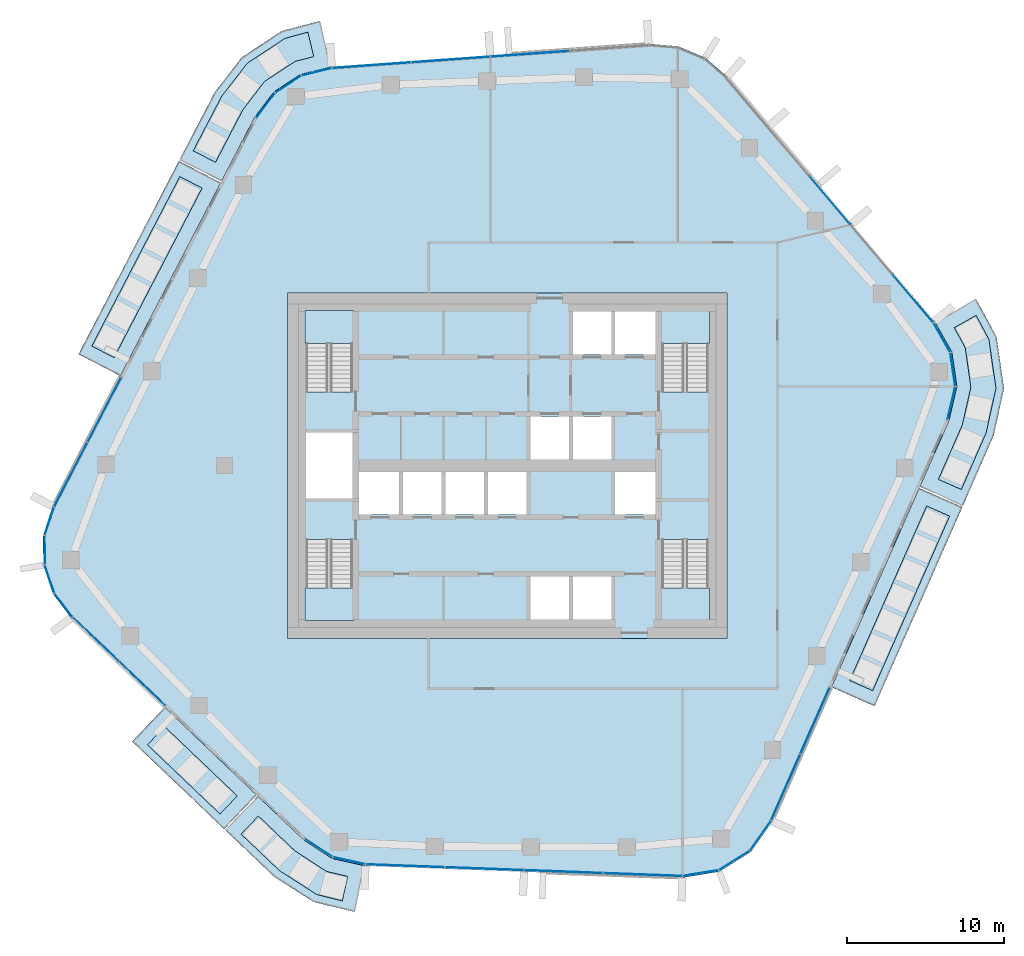
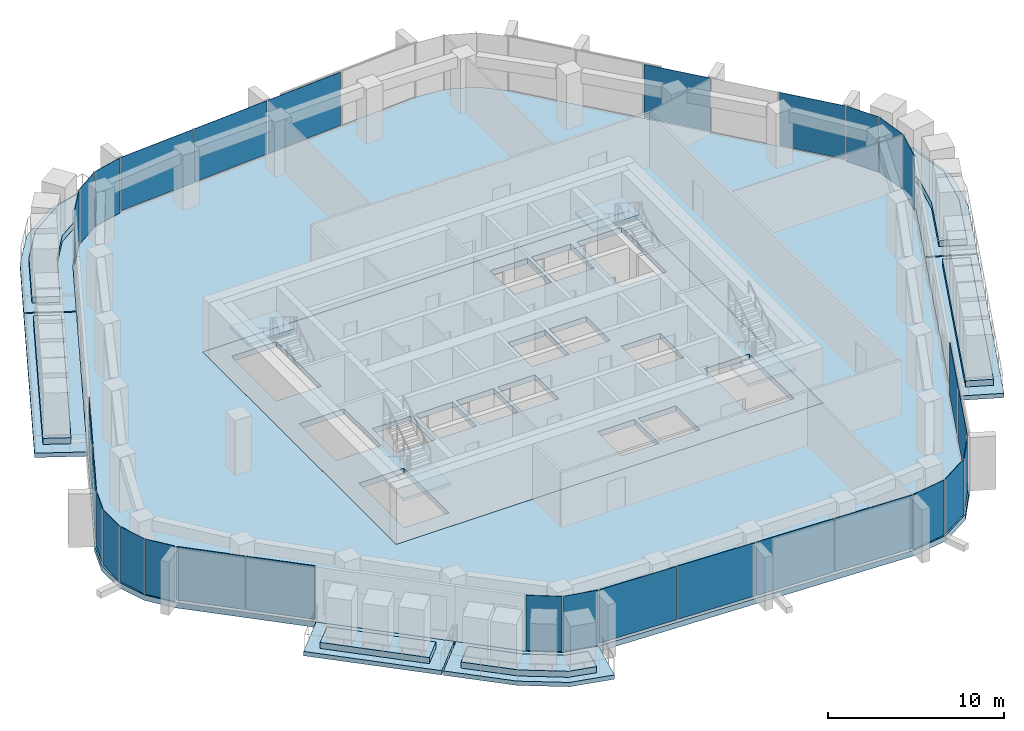
# One storey, part 10 of 21: 30 plates, 18 slabs, 15 elements without a shape of their own.
"""IFC4 building model written with IfcOpenShell, lengths in metres."""

from ifc_helpers import new_model, si_unit, direction, frame, origin, origin_2d, place, context, subcontext, project, spatial, polyline, rectangle, outline, extrude, material, layer, layer_set, type_object, element, aggregate, save


model = new_model("IFC4")

# Units and contexts
model_context = context("Model", 3, precision=1e-05, world=origin(), true_north=direction((0.0, 1.0)))
body_context = subcontext(model_context, "Body", "Model", "MODEL_VIEW")
ifc_project = project(units=[si_unit("LENGTHUNIT", "METRE"), si_unit("AREAUNIT", "SQUARE_METRE"), si_unit("VOLUMEUNIT", "CUBIC_METRE"), si_unit("PLANEANGLEUNIT", "RADIAN"), si_unit("MASSUNIT", "GRAM", prefix="KILO")], contexts=[model_context])

# Site, building, storey
site_placement = place(None, origin())
site = spatial("IfcSite", under=ifc_project, at=site_placement, CompositionType="ELEMENT")
building_placement = place(site_placement, origin())
building = spatial("IfcBuilding", under=site, at=building_placement, Name="Dongbaek Canopy Tower", CompositionType="ELEMENT")
storey_placement = place(building_placement, frame((0.0, 0.0, 270.60009765625)))
storey = spatial("IfcBuildingStorey", under=building, at=storey_placement, Name="L57", CompositionType="ELEMENT", Elevation=270.60009765625)

# Slabs
ifc_material_1 = material(Name="Concrete C40/50", Category="concrete")
ifc_layer_1 = layer(ifc_material_1, 0.300048828125)
ifc_layer_set_1 = layer_set([ifc_layer_1], Name="Balcony slab 300")
slab_type_1 = type_object("IfcSlabType", Name="Balcony slab 300", PredefinedType="FLOOR", material=ifc_layer_set_1)
slab_1_placement = place(storey_placement, frame((0.0, 0.0, -0.300048828125)))
element("IfcSlab", 1, at=slab_1_placement, inside=storey, type_object=slab_type_1, Name="Balcony L57 1", PredefinedType="FLOOR", context=body_context, shape_type="SweptSolid", body=[
    extrude(outline(polyline([(-18.2392578125, 18.005859375), (-24.62646484375, 5.70703125), (-27.288818359375, 7.089599609375), (-20.901611328125, 19.388671875), (-18.2392578125, 18.005859375)])), origin(), (0.0, 0.0, 1.0), 0.300048828125),
])
slab_2_placement = place(storey_placement, frame((0.0, 0.0, -0.300048828125)))
element("IfcSlab", 2, at=slab_2_placement, inside=storey, type_object=slab_type_1, Name="Balcony L57 5", PredefinedType="FLOOR", context=body_context, shape_type="SweptSolid", body=[
    extrude(outline(polyline([(-11.22607421875, 25.386962890625), (-13.148681640625, 24.91259765625), (-14.8447265625, 23.797119140625), (-16.07177734375, 22.1796875), (-18.193115234375, 18.0947265625), (-20.85546875, 19.477294921875), (-18.607177734375, 23.783203125), (-16.8935546875, 25.98828125), (-14.349365234375, 27.661865234375), (-11.9443359375, 28.299560546875), (-11.22607421875, 25.386962890625)])), origin(), (0.0, 0.0, 1.0), 0.300048828125),
])
slab_3_placement = place(storey_placement, frame((0.0, 0.0, -0.300048828125)))
element("IfcSlab", 3, at=slab_3_placement, inside=storey, type_object=slab_type_1, Name="Balcony L57 2", PredefinedType="FLOOR", context=body_context, shape_type="SweptSolid", body=[
    extrude(outline(polyline([(-21.800048828125, -15.386962890625), (-15.9521484375, -20.96923828125), (-18.023681640625, -23.13916015625), (-23.87158203125, -17.55712890625), (-21.800048828125, -15.386962890625)])), origin(), (0.0, 0.0, 1.0), 0.300048828125),
])
slab_4_placement = place(storey_placement, frame((0.0, 0.0, -0.300048828125)))
element("IfcSlab", 4, at=slab_4_placement, inside=storey, type_object=slab_type_1, Name="Balcony L57 6", PredefinedType="FLOOR", context=body_context, shape_type="SweptSolid", body=[
    extrude(outline(polyline([(-15.8798828125, -21.0380859375), (-12.9560546875, -23.829345703125), (-11.14697265625, -25.0166015625), (-9.083251953125, -25.474365234375), (-9.732666015625, -28.403076171875), (-12.31396484375, -27.7802734375), (-14.822509765625, -26.177978515625), (-17.951416015625, -23.208251953125), (-15.8798828125, -21.0380859375)])), origin(), (0.0, 0.0, 1.0), 0.300048828125),
])
slab_5_placement = place(storey_placement, frame((0.0, 0.0, -0.300048828125)))
element("IfcSlab", 5, at=slab_5_placement, inside=storey, type_object=slab_type_1, Name="Balcony L57 3", PredefinedType="FLOOR", context=body_context, shape_type="SweptSolid", body=[
    extrude(outline(polyline([(20.642333984375, -14.1015625), (26.225341796875, -1.43310546875), (28.970703125, -2.64306640625), (23.387451171875, -15.3115234375), (20.642333984375, -14.1015625)])), origin(), (0.0, 0.0, 1.0), 0.300048828125),
])
slab_6_placement = place(storey_placement, frame((0.0, 0.0, -0.300048828125)))
element("IfcSlab", 6, at=slab_6_placement, inside=storey, type_object=slab_type_1, Name="Balcony L57 4", PredefinedType="FLOOR", context=body_context, shape_type="SweptSolid", body=[
    extrude(outline(polyline([(26.265869140625, -1.341552734375), (28.1201171875, 2.865966796875), (28.624267578125, 5.030029296875), (28.30615234375, 7.2294921875), (27.234130859375, 9.11865234375), (29.84326171875, 10.59912109375), (31.144287109375, 8.201171875), (31.62158203125, 4.90234375), (30.966064453125, 1.91650390625), (29.010986328125, -2.551513671875), (26.265869140625, -1.341552734375)])), origin(), (0.0, 0.0, 1.0), 0.300048828125),
])

# Curtain wall, plates
ifc_material_2 = material(Name="Aluminium 6063-T6 pale anodised", Category="aluminium")
ifc_layer_2 = layer(ifc_material_2, 0.199951171875)
ifc_layer_set_2 = layer_set([ifc_layer_2], Name="CW-1 unitised tower curtain wall")
curtain_wall_type = type_object("IfcCurtainWallType", Name="CW-1 unitised tower curtain wall", PredefinedType="NOTDEFINED", material=ifc_layer_set_2)
curtain_wall_1_placement = place(storey_placement, origin())
curtain_wall_1 = element("IfcCurtainWall", 7, at=curtain_wall_1_placement, inside=storey, type_object=curtain_wall_type, Name="CW-1 curtain wall K0.1", PredefinedType="NOTDEFINED")
ifc_material_3 = material(Name="Clear laminated glass", Category="glass")
ifc_layer_3 = layer(ifc_material_3, 0.028076171875)
ifc_layer_set_3 = layer_set([ifc_layer_3], Name="CW-1 glazed panel 28")
plate_type = type_object("IfcPlateType", Name="CW-1 glazed panel 28", PredefinedType="CURTAIN_PANEL", material=ifc_layer_set_3)
plate_1_placement = place(storey_placement, frame((28.273681640625, 3.966064453125, 0.0), z_axis=(0.0, 0.0, 1.0), x_axis=(0.226862667596, 0.973926758053, 0.0)))
plate_1 = element("IfcPlate", 8, at=plate_1_placement, type_object=plate_type, Name="CW-1 panel K0.1.1.1", PredefinedType="CURTAIN_PANEL", context=body_context, shape_type="SweptSolid", body=[
    extrude(rectangle(XDim=2.10986328125, YDim=0.028076171875, at=origin_2d()), origin(), (0.0, 0.0, 1.0), 3.820068359375),
])
plate_2_placement = place(storey_placement, frame((28.3662109375, 6.115478515625, 0.0), z_axis=(0.0, 0.0, 1.0), x_axis=(-0.143155314124, 0.989700235444, 0.0)))
plate_2 = element("IfcPlate", 9, at=plate_2_placement, type_object=plate_type, Name="CW-1 panel K0.1.2.1", PredefinedType="CURTAIN_PANEL", context=body_context, shape_type="SweptSolid", body=[
    extrude(rectangle(XDim=2.100341796875, YDim=0.028076171875, at=origin_2d()), origin(), (0.0, 0.0, 1.0), 3.820068359375),
])
plate_3_placement = place(storey_placement, frame((27.66845703125, 8.150390625, 0.0), z_axis=(0.0, 0.0, 1.0), x_axis=(-0.493537811004, 0.869724340874, 0.0)))
plate_3 = element("IfcPlate", 10, at=plate_3_placement, type_object=plate_type, Name="CW-1 panel K0.1.3.1", PredefinedType="CURTAIN_PANEL", context=body_context, shape_type="SweptSolid", body=[
    extrude(rectangle(XDim=2.10986328125, YDim=0.028076171875, at=origin_2d()), origin(), (0.0, 0.0, 1.0), 3.820068359375),
])
aggregate(curtain_wall_1, [plate_1, plate_2, plate_3])

curtain_wall_2_placement = place(storey_placement, origin())
curtain_wall_2 = element("IfcCurtainWall", 11, at=curtain_wall_2_placement, inside=storey, type_object=curtain_wall_type, Name="CW-1 curtain wall F0.1", PredefinedType="NOTDEFINED")
plate_4_placement = place(storey_placement, frame((25.811279296875, 10.6591796875, 0.1201171875), z_axis=(0.0, 0.0, 1.0), x_axis=(-0.646055122273, 0.763290756517, 0.0)))
plate_4 = element("IfcPlate", 12, at=plate_4_placement, type_object=plate_type, Name="CW-1 panel F0.1.1.1", PredefinedType="CURTAIN_PANEL", context=body_context, shape_type="SweptSolid", body=[
    extrude(rectangle(XDim=3.9892578125, YDim=0.028076171875, at=origin_2d()), origin(), (0.0, 0.0, 1.0), 3.699951171875),
])
plate_5_placement = place(storey_placement, frame((20.539306640625, 16.8876953125, 0.1201171875), z_axis=(0.0, 0.0, 1.0), x_axis=(-0.646055122273, 0.763290756517, 0.0)))
plate_5 = element("IfcPlate", 13, at=plate_5_placement, type_object=plate_type, Name="CW-1 panel F0.1.3.1", PredefinedType="CURTAIN_PANEL", context=body_context, shape_type="SweptSolid", body=[
    extrude(rectangle(XDim=3.99853515625, YDim=0.028076171875, at=origin_2d()), origin(), (0.0, 0.0, 1.0), 3.699951171875),
])
aggregate(curtain_wall_2, [plate_4, plate_5])

curtain_wall_3_placement = place(storey_placement, origin())
curtain_wall_3 = element("IfcCurtainWall", 14, at=curtain_wall_3_placement, inside=storey, type_object=curtain_wall_type, Name="CW-1 curtain wall F1.1", PredefinedType="NOTDEFINED")
plate_6_placement = place(storey_placement, frame((1.44775390625, 26.206787109375, 0.1201171875), z_axis=(0.0, 0.0, 1.0), x_axis=(-0.997423073198, -0.07174408026, 0.0)))
plate_6 = element("IfcPlate", 15, at=plate_6_placement, type_object=plate_type, Name="CW-1 panel F1.1.2.1", PredefinedType="CURTAIN_PANEL", context=body_context, shape_type="SweptSolid", body=[
    extrude(rectangle(XDim=4.976318359375, YDim=0.028076171875, at=origin_2d()), origin(), (0.0, 0.0, 1.0), 3.699951171875),
])
plate_7_placement = place(storey_placement, frame((-3.599365234375, 25.84375, 0.1201171875), z_axis=(0.0, 0.0, 1.0), x_axis=(-0.997423073198, -0.07174408026, 0.0)))
plate_7 = element("IfcPlate", 16, at=plate_7_placement, type_object=plate_type, Name="CW-1 panel F1.1.3.1", PredefinedType="CURTAIN_PANEL", context=body_context, shape_type="SweptSolid", body=[
    extrude(rectangle(XDim=4.976318359375, YDim=0.028076171875, at=origin_2d()), origin(), (0.0, 0.0, 1.0), 3.699951171875),
])
plate_8_placement = place(storey_placement, frame((-8.642333984375, 25.48095703125, 0.1201171875), z_axis=(0.0, 0.0, 1.0), x_axis=(-0.997423073198, -0.07174408026, 0.0)))
plate_8 = element("IfcPlate", 17, at=plate_8_placement, type_object=plate_type, Name="CW-1 panel F1.1.4.1", PredefinedType="CURTAIN_PANEL", context=body_context, shape_type="SweptSolid", body=[
    extrude(rectangle(XDim=4.9677734375, YDim=0.028076171875, at=origin_2d()), origin(), (0.0, 0.0, 1.0), 3.699951171875),
])
aggregate(curtain_wall_3, [plate_6, plate_7, plate_8])

curtain_wall_4_placement = place(storey_placement, origin())
curtain_wall_4 = element("IfcCurtainWall", 18, at=curtain_wall_4_placement, inside=storey, type_object=curtain_wall_type, Name="CW-1 curtain wall K2.1", PredefinedType="NOTDEFINED")
plate_9_placement = place(storey_placement, frame((-12.135009765625, 25.059814453125, 0.0), z_axis=(0.0, 0.0, 1.0), x_axis=(-0.970907015511, -0.239456817049, 0.0)))
plate_9 = element("IfcPlate", 19, at=plate_9_placement, type_object=plate_type, Name="CW-1 panel K2.1.1.1", PredefinedType="CURTAIN_PANEL", context=body_context, shape_type="SweptSolid", body=[
    extrude(rectangle(XDim=1.92041015625, YDim=0.028076171875, at=origin_2d()), origin(), (0.0, 0.0, 1.0), 3.820068359375),
])
plate_10_placement = place(storey_placement, frame((-13.941650390625, 24.271240234375, 0.0), z_axis=(0.0, 0.0, 1.0), x_axis=(-0.835470720446, -0.549534962743, 0.0)))
plate_10 = element("IfcPlate", 20, at=plate_10_placement, type_object=plate_type, Name="CW-1 panel K2.1.2.1", PredefinedType="CURTAIN_PANEL", context=body_context, shape_type="SweptSolid", body=[
    extrude(rectangle(XDim=1.911865234375, YDim=0.028076171875, at=origin_2d()), origin(), (0.0, 0.0, 1.0), 3.820068359375),
])
plate_11_placement = place(storey_placement, frame((-15.38134765625, 22.92431640625, 0.0), z_axis=(0.0, 0.0, 1.0), x_axis=(-0.604380174138, -0.796696055663, 0.0)))
plate_11 = element("IfcPlate", 21, at=plate_11_placement, type_object=plate_type, Name="CW-1 panel K2.1.3.1", PredefinedType="CURTAIN_PANEL", context=body_context, shape_type="SweptSolid", body=[
    extrude(rectangle(XDim=1.92041015625, YDim=0.028076171875, at=origin_2d()), origin(), (0.0, 0.0, 1.0), 3.820068359375),
])
aggregate(curtain_wall_4, [plate_9, plate_10, plate_11])

curtain_wall_5_placement = place(storey_placement, origin())
curtain_wall_5 = element("IfcCurtainWall", 22, at=curtain_wall_5_placement, inside=storey, type_object=curtain_wall_type, Name="CW-1 curtain wall F2.1", PredefinedType="NOTDEFINED")
plate_12_placement = place(storey_placement, frame((-25.633056640625, 3.5517578125, 0.1201171875), z_axis=(0.0, 0.0, 1.0), x_axis=(-0.460880465591, -0.887462222541, 0.0)))
plate_12 = element("IfcPlate", 23, at=plate_12_placement, type_object=plate_type, Name="CW-1 panel F2.1.1.1", PredefinedType="CURTAIN_PANEL", context=body_context, shape_type="SweptSolid", body=[
    extrude(rectangle(XDim=4.56884765625, YDim=0.028076171875, at=origin_2d()), origin(), (0.0, 0.0, 1.0), 3.699951171875),
])
plate_13_placement = place(storey_placement, frame((-27.775390625, -0.57373046875, 0.1201171875), z_axis=(0.0, 0.0, 1.0), x_axis=(-0.460880465591, -0.887462222541, 0.0)))
plate_13 = element("IfcPlate", 24, at=plate_13_placement, type_object=plate_type, Name="CW-1 panel F2.1.2.1", PredefinedType="CURTAIN_PANEL", context=body_context, shape_type="SweptSolid", body=[
    extrude(rectangle(XDim=4.560791015625, YDim=0.028076171875, at=origin_2d()), origin(), (0.0, 0.0, 1.0), 3.699951171875),
])
aggregate(curtain_wall_5, [plate_12, plate_13])

curtain_wall_6_placement = place(storey_placement, origin())
curtain_wall_6 = element("IfcCurtainWall", 25, at=curtain_wall_6_placement, inside=storey, type_object=curtain_wall_type, Name="CW-1 curtain wall K3.1", PredefinedType="NOTDEFINED")
plate_14_placement = place(storey_placement, frame((-29.142822265625, -3.53662109375, 0.0), z_axis=(0.0, 0.0, 1.0), x_axis=(-0.312699253045, -0.949852186998, 0.0)))
plate_14 = element("IfcPlate", 26, at=plate_14_placement, type_object=plate_type, Name="CW-1 panel K3.1.1.1", PredefinedType="CURTAIN_PANEL", context=body_context, shape_type="SweptSolid", body=[
    extrude(rectangle(XDim=1.814697265625, YDim=0.028076171875, at=origin_2d()), origin(), (0.0, 0.0, 1.0), 3.820068359375),
])
plate_15_placement = place(storey_placement, frame((-29.43603515625, -5.3837890625, 0.0), z_axis=(0.0, 0.0, 1.0), x_axis=(0.003873700922, -0.999992497192, 0.0)))
plate_15 = element("IfcPlate", 27, at=plate_15_placement, type_object=plate_type, Name="CW-1 panel K3.1.2.1", PredefinedType="CURTAIN_PANEL", context=body_context, shape_type="SweptSolid", body=[
    extrude(rectangle(XDim=1.806640625, YDim=0.028076171875, at=origin_2d()), origin(), (0.0, 0.0, 1.0), 3.820068359375),
])
plate_16_placement = place(storey_placement, frame((-29.129638671875, -7.224609375, 0.0), z_axis=(0.0, 0.0, 1.0), x_axis=(0.320048699964, -0.947401092279, 0.0)))
plate_16 = element("IfcPlate", 28, at=plate_16_placement, type_object=plate_type, Name="CW-1 panel K3.1.3.1", PredefinedType="CURTAIN_PANEL", context=body_context, shape_type="SweptSolid", body=[
    extrude(rectangle(XDim=1.806640625, YDim=0.028076171875, at=origin_2d()), origin(), (0.0, 0.0, 1.0), 3.820068359375),
])
plate_17_placement = place(storey_placement, frame((-28.25439453125, -8.87744140625, 0.0), z_axis=(0.0, 0.0, 1.0), x_axis=(0.603344300453, -0.797480818021, 0.0)))
plate_17 = element("IfcPlate", 29, at=plate_17_placement, type_object=plate_type, Name="CW-1 panel K3.1.4.1", PredefinedType="CURTAIN_PANEL", context=body_context, shape_type="SweptSolid", body=[
    extrude(rectangle(XDim=1.814697265625, YDim=0.028076171875, at=origin_2d()), origin(), (0.0, 0.0, 1.0), 3.820068359375),
])
aggregate(curtain_wall_6, [plate_14, plate_15, plate_16, plate_17])

curtain_wall_7_placement = place(storey_placement, origin())
curtain_wall_7 = element("IfcCurtainWall", 30, at=curtain_wall_7_placement, inside=storey, type_object=curtain_wall_type, Name="CW-1 curtain wall F3.1", PredefinedType="NOTDEFINED")
plate_18_placement = place(storey_placement, frame((-26.204345703125, -11.044677734375, 0.1201171875), z_axis=(0.0, 0.0, 1.0), x_axis=(0.723349933562, -0.690481624386, 0.0)))
plate_18 = element("IfcPlate", 31, at=plate_18_placement, type_object=plate_type, Name="CW-1 panel F3.1.1.1", PredefinedType="CURTAIN_PANEL", context=body_context, shape_type="SweptSolid", body=[
    extrude(rectangle(XDim=4.000244140625, YDim=0.028076171875, at=origin_2d()), origin(), (0.0, 0.0, 1.0), 3.699951171875),
])
plate_19_placement = place(storey_placement, frame((-23.247314453125, -13.867431640625, 0.1201171875), z_axis=(0.0, 0.0, 1.0), x_axis=(0.723349933562, -0.690481624386, 0.0)))
plate_19 = element("IfcPlate", 32, at=plate_19_placement, type_object=plate_type, Name="CW-1 panel F3.1.2.1", PredefinedType="CURTAIN_PANEL", context=body_context, shape_type="SweptSolid", body=[
    extrude(rectangle(XDim=4.00830078125, YDim=0.028076171875, at=origin_2d()), origin(), (0.0, 0.0, 1.0), 3.699951171875),
])
aggregate(curtain_wall_7, [plate_18, plate_19])

curtain_wall_8_placement = place(storey_placement, origin())
curtain_wall_8 = element("IfcCurtainWall", 33, at=curtain_wall_8_placement, inside=storey, type_object=curtain_wall_type, Name="CW-1 curtain wall K4.1", PredefinedType="NOTDEFINED")
plate_20_placement = place(storey_placement, frame((-12.00048828125, -24.3369140625, 0.0), z_axis=(0.0, 0.0, 1.0), x_axis=(0.836003900743, -0.548723498624, 0.0)))
plate_20 = element("IfcPlate", 34, at=plate_20_placement, type_object=plate_type, Name="CW-1 panel K4.1.1.1", PredefinedType="CURTAIN_PANEL", context=body_context, shape_type="SweptSolid", body=[
    extrude(rectangle(XDim=2.052490234375, YDim=0.028076171875, at=origin_2d()), origin(), (0.0, 0.0, 1.0), 3.820068359375),
])
plate_21_placement = place(storey_placement, frame((-10.064453125, -25.154296875, 0.0), z_axis=(0.0, 0.0, 1.0), x_axis=(0.976288604328, -0.216473003073, 0.0)))
plate_21 = element("IfcPlate", 35, at=plate_21_placement, type_object=plate_type, Name="CW-1 panel K4.1.2.1", PredefinedType="CURTAIN_PANEL", context=body_context, shape_type="SweptSolid", body=[
    extrude(rectangle(XDim=2.052490234375, YDim=0.028076171875, at=origin_2d()), origin(), (0.0, 0.0, 1.0), 3.820068359375),
])
aggregate(curtain_wall_8, [plate_20, plate_21])

curtain_wall_9_placement = place(storey_placement, origin())
curtain_wall_9 = element("IfcCurtainWall", 36, at=curtain_wall_9_placement, inside=storey, type_object=curtain_wall_type, Name="CW-1 curtain wall F4.1", PredefinedType="NOTDEFINED")
plate_22_placement = place(storey_placement, frame((-6.501708984375, -25.478515625, 0.1201171875), z_axis=(0.0, 0.0, 1.0), x_axis=(0.999319926798, -0.036873891921, 0.0)))
plate_22 = element("IfcPlate", 37, at=plate_22_placement, type_object=plate_type, Name="CW-1 panel F4.1.1.1", PredefinedType="CURTAIN_PANEL", context=body_context, shape_type="SweptSolid", body=[
    extrude(rectangle(XDim=4.959228515625, YDim=0.028076171875, at=origin_2d()), origin(), (0.0, 0.0, 1.0), 3.699951171875),
])
plate_23_placement = place(storey_placement, frame((-1.457275390625, -25.66455078125, 0.1201171875), z_axis=(0.0, 0.0, 1.0), x_axis=(0.999319926798, -0.036873891921, 0.0)))
plate_23 = element("IfcPlate", 38, at=plate_23_placement, type_object=plate_type, Name="CW-1 panel F4.1.2.1", PredefinedType="CURTAIN_PANEL", context=body_context, shape_type="SweptSolid", body=[
    extrude(rectangle(XDim=4.96826171875, YDim=0.028076171875, at=origin_2d()), origin(), (0.0, 0.0, 1.0), 3.699951171875),
])
plate_24_placement = place(storey_placement, frame((3.591552734375, -25.850830078125, 0.1201171875), z_axis=(0.0, 0.0, 1.0), x_axis=(0.999319926798, -0.036873891921, 0.0)))
plate_24 = element("IfcPlate", 39, at=plate_24_placement, type_object=plate_type, Name="CW-1 panel F4.1.3.1", PredefinedType="CURTAIN_PANEL", context=body_context, shape_type="SweptSolid", body=[
    extrude(rectangle(XDim=4.96826171875, YDim=0.028076171875, at=origin_2d()), origin(), (0.0, 0.0, 1.0), 3.699951171875),
])
plate_25_placement = place(storey_placement, frame((8.635498046875, -26.037109375, 0.1201171875), z_axis=(0.0, 0.0, 1.0), x_axis=(0.999319926798, -0.036873891921, 0.0)))
plate_25 = element("IfcPlate", 40, at=plate_25_placement, type_object=plate_type, Name="CW-1 panel F4.1.4.1", PredefinedType="CURTAIN_PANEL", context=body_context, shape_type="SweptSolid", body=[
    extrude(rectangle(XDim=4.95849609375, YDim=0.028076171875, at=origin_2d()), origin(), (0.0, 0.0, 1.0), 3.699951171875),
])
aggregate(curtain_wall_9, [plate_22, plate_23, plate_24, plate_25])

curtain_wall_10_placement = place(storey_placement, origin())
curtain_wall_10 = element("IfcCurtainWall", 41, at=curtain_wall_10_placement, inside=storey, type_object=curtain_wall_type, Name="CW-1 curtain wall K5.1", PredefinedType="NOTDEFINED")
plate_26_placement = place(storey_placement, frame((12.309326171875, -25.94140625, 0.0), z_axis=(0.0, 0.0, 1.0), x_axis=(0.986926076435, 0.161173569958, 0.0)))
plate_26 = element("IfcPlate", 42, at=plate_26_placement, type_object=plate_type, Name="CW-1 panel K5.1.1.1", PredefinedType="CURTAIN_PANEL", context=body_context, shape_type="SweptSolid", body=[
    extrude(rectangle(XDim=2.25537109375, YDim=0.028076171875, at=origin_2d()), origin(), (0.0, 0.0, 1.0), 3.820068359375),
])
plate_27_placement = place(storey_placement, frame((14.450927734375, -25.135009765625, 0.0), z_axis=(0.0, 0.0, 1.0), x_axis=(0.847571829361, 0.530680689373, 0.0)))
plate_27 = element("IfcPlate", 43, at=plate_27_placement, type_object=plate_type, Name="CW-1 panel K5.1.2.1", PredefinedType="CURTAIN_PANEL", context=body_context, shape_type="SweptSolid", body=[
    extrude(rectangle(XDim=2.2451171875, YDim=0.028076171875, at=origin_2d()), origin(), (0.0, 0.0, 1.0), 3.820068359375),
])
plate_28_placement = place(storey_placement, frame((16.11181640625, -23.560791015625, 0.0), z_axis=(0.0, 0.0, 1.0), x_axis=(0.576034418085, 0.817425439524, 0.0)))
plate_28 = element("IfcPlate", 44, at=plate_28_placement, type_object=plate_type, Name="CW-1 panel K5.1.3.1", PredefinedType="CURTAIN_PANEL", context=body_context, shape_type="SweptSolid", body=[
    extrude(rectangle(XDim=2.25537109375, YDim=0.028076171875, at=origin_2d()), origin(), (0.0, 0.0, 1.0), 3.820068359375),
])
aggregate(curtain_wall_10, [plate_26, plate_27, plate_28])

curtain_wall_11_placement = place(storey_placement, origin())
curtain_wall_11 = element("IfcCurtainWall", 45, at=curtain_wall_11_placement, inside=storey, type_object=curtain_wall_type, Name="CW-1 curtain wall F5.1", PredefinedType="NOTDEFINED")
plate_29_placement = place(storey_placement, frame((17.720703125, -20.482421875, 0.1201171875), z_axis=(0.0, 0.0, 1.0), x_axis=(0.403287969917, 0.915073119112, 0.0)))
plate_29 = element("IfcPlate", 46, at=plate_29_placement, type_object=plate_type, Name="CW-1 panel F5.1.1.1", PredefinedType="CURTAIN_PANEL", context=body_context, shape_type="SweptSolid", body=[
    extrude(rectangle(XDim=4.55419921875, YDim=0.028076171875, at=origin_2d()), origin(), (0.0, 0.0, 1.0), 3.699951171875),
])
plate_30_placement = place(storey_placement, frame((19.59326171875, -16.233642578125, 0.1201171875), z_axis=(0.0, 0.0, 1.0), x_axis=(0.403287969917, 0.915073119112, 0.0)))
plate_30 = element("IfcPlate", 47, at=plate_30_placement, type_object=plate_type, Name="CW-1 panel F5.1.2.1", PredefinedType="CURTAIN_PANEL", context=body_context, shape_type="SweptSolid", body=[
    extrude(rectangle(XDim=4.564208984375, YDim=0.028076171875, at=origin_2d()), origin(), (0.0, 0.0, 1.0), 3.699951171875),
])
aggregate(curtain_wall_11, [plate_29, plate_30])

# Slab
ifc_material_4 = material(Name="Concrete C40/50", Category="concrete")
ifc_layer_4 = layer(ifc_material_4, 0.3798828125)
ifc_layer_set_4 = layer_set([ifc_layer_4], Name="Core floor slab 380 Concrete C40/50")
slab_type_2 = type_object("IfcSlabType", Name="Core floor slab 380 Concrete C40/50", PredefinedType="FLOOR", material=ifc_layer_set_4)
slab_7_placement = place(storey_placement, frame((0.0, 0.0, -0.380126953125)))
element("IfcSlab", 48, at=slab_7_placement, inside=storey, type_object=slab_type_2, Name="Core floor slab L57", PredefinedType="FLOOR", context=body_context, shape_type="SweptSolid", body=[
    extrude(outline(polyline([(14.0, -11.0), (14.0, 11.0), (-14.0, 11.0), (-14.0, -11.0), (14.0, -11.0)]), holes=[polyline([(-12.800048828125, 2.10009765625), (-9.85009765625, 2.10009765625), (-9.85009765625, -2.10009765625), (-12.800048828125, -2.10009765625), (-12.800048828125, 2.10009765625)]), polyline([(6.625, 9.800048828125), (6.625, 7.074951171875), (4.175048828125, 7.074951171875), (4.175048828125, 9.800048828125), (6.625, 9.800048828125)]), polyline([(9.449951171875, 7.074951171875), (6.875, 7.074951171875), (6.875, 9.800048828125), (9.449951171875, 9.800048828125), (9.449951171875, 7.074951171875)]), polyline([(1.47509765625, 0.39990234375), (1.47509765625, 3.125), (3.925048828125, 3.125), (3.925048828125, 0.39990234375), (1.47509765625, 0.39990234375)]), polyline([(4.175048828125, 0.39990234375), (4.175048828125, 3.125), (6.625, 3.125), (6.625, 0.39990234375), (4.175048828125, 0.39990234375)]), polyline([(-9.449951171875, -0.39990234375), (-6.875, -0.39990234375), (-6.875, -3.125), (-9.449951171875, -3.125), (-9.449951171875, -0.39990234375)]), polyline([(-6.625, -3.125), (-6.625, -0.39990234375), (-4.175048828125, -0.39990234375), (-4.175048828125, -3.125), (-6.625, -3.125)]), polyline([(-3.925048828125, -3.125), (-3.925048828125, -0.39990234375), (-1.47509765625, -0.39990234375), (-1.47509765625, -3.125), (-3.925048828125, -3.125)]), polyline([(-1.22509765625, -3.125), (-1.22509765625, -0.39990234375), (1.22509765625, -0.39990234375), (1.22509765625, -3.125), (-1.22509765625, -3.125)]), polyline([(9.449951171875, -3.125), (6.875, -3.125), (6.875, -0.39990234375), (9.449951171875, -0.39990234375), (9.449951171875, -3.125)]), polyline([(1.47509765625, -9.800048828125), (1.47509765625, -7.074951171875), (3.925048828125, -7.074951171875), (3.925048828125, -9.800048828125), (1.47509765625, -9.800048828125)]), polyline([(4.175048828125, -9.800048828125), (4.175048828125, -7.074951171875), (6.625, -7.074951171875), (6.625, -9.800048828125), (4.175048828125, -9.800048828125)]), polyline([(12.800048828125, 4.70068359375), (12.800048828125, 9.800048828125), (9.85009765625, 9.800048828125), (9.85009765625, 4.70068359375), (12.800048828125, 4.70068359375)]), polyline([(-9.85009765625, 4.70068359375), (-9.85009765625, 9.800048828125), (-12.800048828125, 9.800048828125), (-12.800048828125, 4.70068359375), (-9.85009765625, 4.70068359375)]), polyline([(9.85009765625, -4.70068359375), (9.85009765625, -9.800048828125), (12.800048828125, -9.800048828125), (12.800048828125, -4.70068359375), (9.85009765625, -4.70068359375)]), polyline([(-12.800048828125, -4.70068359375), (-12.800048828125, -9.800048828125), (-9.85009765625, -9.800048828125), (-9.85009765625, -4.70068359375), (-12.800048828125, -4.70068359375)])]), origin(), (0.0, 0.0, 1.0), 0.380126953125),
])

# Stair, slab
ifc_material_5 = material(Name="Concrete C40/50", Category="concrete")
stair_type = type_object("IfcStairType", Name="Core exit stair", PredefinedType="HALF_TURN_STAIR", material=ifc_material_5)
stair_1_placement = place(storey_placement, origin())
stair_1 = element("IfcStair", 49, at=stair_1_placement, inside=storey, type_object=stair_type, Name="L57 exit stair A", PredefinedType="HALF_TURN_STAIR")
ifc_material_6 = material(Name="Concrete C40/50", Category="concrete")
ifc_layer_5 = layer(ifc_material_6, 0.199951171875)
ifc_layer_set_5 = layer_set([ifc_layer_5], Name="Core stair landing 200")
slab_type_3 = type_object("IfcSlabType", Name="Core stair landing 200", PredefinedType="LANDING", material=ifc_layer_set_5)
slab_8_placement = place(storey_placement, frame((0.0, 0.0, 1.89990234375)))
slab_8 = element("IfcSlab", 50, at=slab_8_placement, type_object=slab_type_3, Name="ST-A landing 1", PredefinedType="LANDING", context=body_context, shape_type="SweptSolid", body=[
    extrude(outline(polyline([(12.875, 7.780029296875), (12.875, 9.875), (9.77490234375, 9.875), (9.77490234375, 7.780029296875), (12.875, 7.780029296875)])), origin(), (0.0, 0.0, 1.0), 0.199951171875),
])
aggregate(stair_1, [slab_8])

stair_2_placement = place(storey_placement, origin())
stair_2 = element("IfcStair", 51, at=stair_2_placement, inside=storey, type_object=stair_type, Name="L57 exit stair C", PredefinedType="HALF_TURN_STAIR")
slab_9_placement = place(storey_placement, frame((0.0, 0.0, 1.89990234375)))
slab_9 = element("IfcSlab", 52, at=slab_9_placement, type_object=slab_type_3, Name="ST-C landing 1", PredefinedType="LANDING", context=body_context, shape_type="SweptSolid", body=[
    extrude(outline(polyline([(-9.77490234375, 7.780029296875), (-9.77490234375, 9.875), (-12.875, 9.875), (-12.875, 7.780029296875), (-9.77490234375, 7.780029296875)])), origin(), (0.0, 0.0, 1.0), 0.199951171875),
])
aggregate(stair_2, [slab_9])

stair_3_placement = place(storey_placement, origin())
stair_3 = element("IfcStair", 53, at=stair_3_placement, inside=storey, type_object=stair_type, Name="L57 exit stair B", PredefinedType="HALF_TURN_STAIR")
slab_10_placement = place(storey_placement, frame((0.0, 0.0, 1.89990234375)))
slab_10 = element("IfcSlab", 54, at=slab_10_placement, type_object=slab_type_3, Name="ST-B landing 1", PredefinedType="LANDING", context=body_context, shape_type="SweptSolid", body=[
    extrude(outline(polyline([(9.77490234375, -7.780029296875), (9.77490234375, -9.875), (12.875, -9.875), (12.875, -7.780029296875), (9.77490234375, -7.780029296875)])), origin(), (0.0, 0.0, 1.0), 0.199951171875),
])
aggregate(stair_3, [slab_10])

stair_4_placement = place(storey_placement, origin())
stair_4 = element("IfcStair", 55, at=stair_4_placement, inside=storey, type_object=stair_type, Name="L57 exit stair D", PredefinedType="HALF_TURN_STAIR")
slab_11_placement = place(storey_placement, frame((0.0, 0.0, 1.89990234375)))
slab_11 = element("IfcSlab", 56, at=slab_11_placement, type_object=slab_type_3, Name="ST-D landing 1", PredefinedType="LANDING", context=body_context, shape_type="SweptSolid", body=[
    extrude(outline(polyline([(-12.875, -7.780029296875), (-12.875, -9.875), (-9.77490234375, -9.875), (-9.77490234375, -7.780029296875), (-12.875, -7.780029296875)])), origin(), (0.0, 0.0, 1.0), 0.199951171875),
])
aggregate(stair_4, [slab_11])

# Slabs
ifc_material_7 = material(Name="Concrete C40", Category="concrete")
ifc_layer_6 = layer(ifc_material_7, 0.3798828125)
ifc_layer_set_6 = layer_set([ifc_layer_6], Name="RC FLAT PLATE 380 Concrete C40")
slab_type_4 = type_object("IfcSlabType", Name="RC FLAT PLATE 380 Concrete C40", PredefinedType="FLOOR", material=ifc_layer_set_6)
slab_12_placement = place(storey_placement, frame((0.0, 0.0, -0.380126953125)))
element("IfcSlab", 57, at=slab_12_placement, inside=storey, type_object=slab_type_4, Name="SLAB:L57", PredefinedType="FLOOR", context=body_context, shape_type="SweptSolid", body=[
    extrude(outline(polyline([(16.873046875, -22.654052734375), (15.508056640625, -24.5908203125), (13.499755859375, -25.848388671875), (11.161376953125, -26.230224609375), (-9.034423828125, -25.485107421875), (-11.14697265625, -25.0166015625), (-12.9560546875, -23.829345703125), (-27.75634765625, -9.701416015625), (-28.916748046875, -8.167724609375), (-29.5322265625, -6.345703125), (-29.539794921875, -4.422607421875), (-28.938232421875, -2.595947265625), (-16.07177734375, 22.1796875), (-14.8447265625, 23.797119140625), (-13.148681640625, 24.91259765625), (-11.177490234375, 25.398681640625), (9.011474609375, 26.85107421875), (10.87744140625, 26.692138671875), (12.603515625, 25.9658203125), (14.021728515625, 24.742919921875), (27.20947265625, 9.162109375), (28.30615234375, 7.2294921875), (28.624267578125, 5.0302734375), (28.1201171875, 2.865966796875), (16.873046875, -22.654052734375)]), holes=[polyline([(14.0, 11.0), (-14.0, 11.0), (-14.0, -11.0), (14.0, -11.0), (14.0, 11.0)])]), origin(), (0.0, 0.0, 1.0), 0.380126953125),
])
ifc_material_8 = material(Name="Reinforced concrete C40/50 planter box with soil", Category="concrete")
ifc_layer_7 = layer(ifc_material_8, 0.419921875)
ifc_layer_set_7 = layer_set([ifc_layer_7], Name="Terrace planter box 1600 x 420")
slab_type_5 = type_object("IfcSlabType", Name="Terrace planter box 1600 x 420", PredefinedType="USERDEFINED", material=ifc_layer_set_7)
slab_13_placement = place(storey_placement, origin())
element("IfcSlab", 58, at=slab_13_placement, inside=storey, type_object=slab_type_5, Name="Balcony planter L57 1", ObjectType="PLANTER", PredefinedType="USERDEFINED", context=body_context, shape_type="SweptSolid", body=[
    extrude(outline(polyline([(-19.4208984375, 17.661865234375), (-25.0244140625, 6.871337890625), (-26.444580078125, 7.60888671875), (-20.8408203125, 18.399169921875), (-19.4208984375, 17.661865234375)])), origin(), (0.0, 0.0, 1.0), 0.419921875),
])
slab_14_placement = place(storey_placement, origin())
element("IfcSlab", 59, at=slab_14_placement, inside=storey, type_object=slab_type_5, Name="Balcony planter L57 5", ObjectType="PLANTER", PredefinedType="USERDEFINED", context=body_context, shape_type="SweptSolid", body=[
    extrude(outline(polyline([(-12.31298828125, 26.035400390625), (-13.5048828125, 25.728271484375), (-15.45263671875, 24.447021484375), (-16.823974609375, 22.6552734375), (-18.568115234375, 19.303466796875), (-19.988037109375, 20.041015625), (-18.17626953125, 23.5107421875), (-16.54541015625, 25.615966796875), (-14.145263671875, 27.194580078125), (-12.696044921875, 27.5888671875), (-12.31298828125, 26.035400390625)])), origin(), (0.0, 0.0, 1.0), 0.419921875),
])
slab_15_placement = place(storey_placement, origin())
element("IfcSlab", 60, at=slab_15_placement, inside=storey, type_object=slab_type_5, Name="Balcony planter L57 2", ObjectType="PLANTER", PredefinedType="USERDEFINED", context=body_context, shape_type="SweptSolid", body=[
    extrude(outline(polyline([(-21.7998046875, -16.61767578125), (-17.181640625, -21.026123046875), (-18.286376953125, -22.183349609375), (-22.904541015625, -17.775146484375), (-21.7998046875, -16.61767578125)])), origin(), (0.0, 0.0, 1.0), 0.419921875),
])
slab_16_placement = place(storey_placement, origin())
element("IfcSlab", 61, at=slab_16_placement, inside=storey, type_object=slab_type_5, Name="Balcony planter L57 6", ObjectType="PLANTER", PredefinedType="USERDEFINED", context=body_context, shape_type="SweptSolid", body=[
    extrude(outline(polyline([(-15.843505859375, -22.303466796875), (-13.509765625, -24.526123046875), (-11.4931640625, -25.836669921875), (-10.154541015625, -26.1484375), (-10.5009765625, -27.71044921875), (-12.115478515625, -27.310546875), (-14.505126953125, -25.778564453125), (-16.9482421875, -23.460693359375), (-15.843505859375, -22.303466796875)])), origin(), (0.0, 0.0, 1.0), 0.419921875),
])
slab_17_placement = place(storey_placement, origin())
element("IfcSlab", 62, at=slab_17_placement, inside=storey, type_object=slab_type_5, Name="Balcony planter L57 3", ObjectType="PLANTER", PredefinedType="USERDEFINED", context=body_context, shape_type="SweptSolid", body=[
    extrude(outline(polyline([(21.79931640625, -13.682861328125), (26.697021484375, -2.56982421875), (28.1611328125, -3.215087890625), (23.263427734375, -14.328125), (21.79931640625, -13.682861328125)])), origin(), (0.0, 0.0, 1.0), 0.419921875),
])
slab_18_placement = place(storey_placement, origin())
element("IfcSlab", 63, at=slab_18_placement, inside=storey, type_object=slab_type_5, Name="Balcony planter L57 4", ObjectType="PLANTER", PredefinedType="USERDEFINED", context=body_context, shape_type="SweptSolid", body=[
    extrude(outline(polyline([(27.443115234375, -0.876953125), (28.96435546875, 2.584228515625), (29.513427734375, 4.9921875), (29.148193359375, 7.517822265625), (28.452392578125, 8.775146484375), (29.843994140625, 9.564697265625), (30.661865234375, 8.0361328125), (31.112060546875, 4.924072265625), (30.482177734375, 2.078125), (28.9072265625, -1.522216796875), (27.443115234375, -0.876953125)])), origin(), (0.0, 0.0, 1.0), 0.419921875),
])

save(model, "model.ifc")
